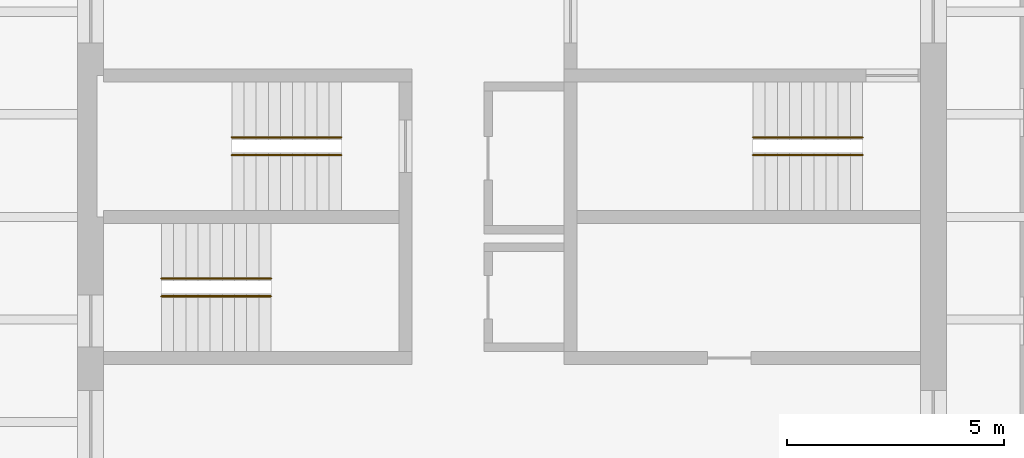
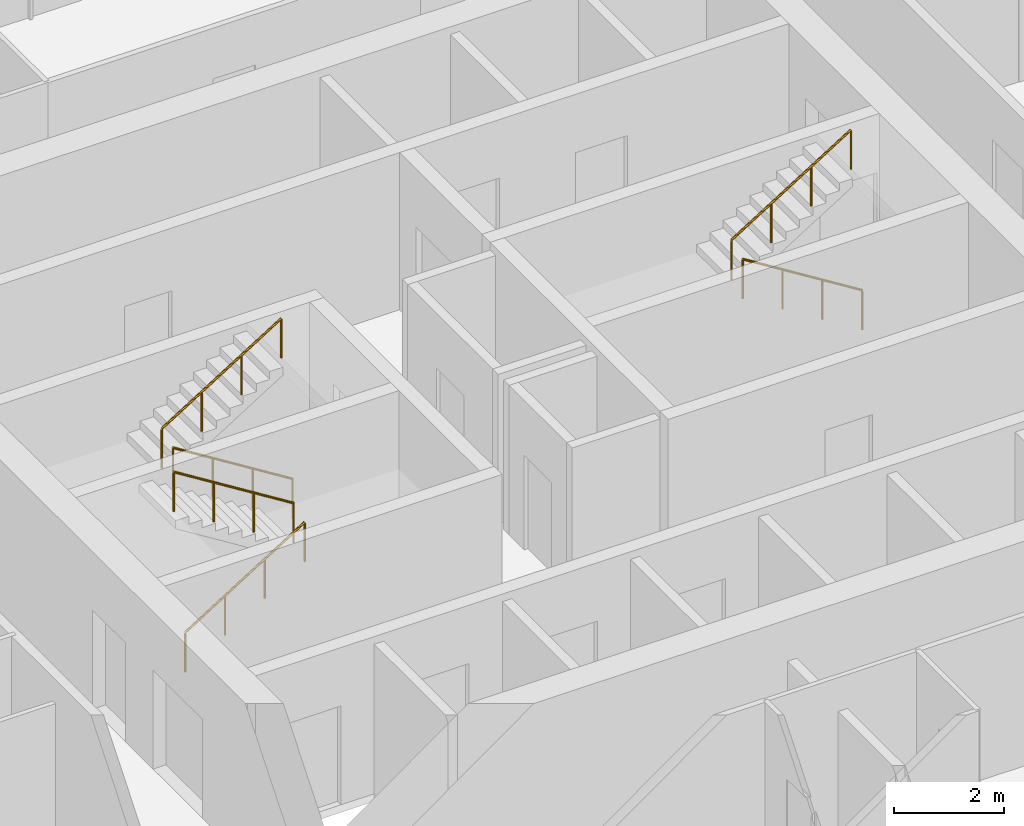
# One storey, part 17 of 17: 6 railings.
"""IFC4 building model written with IfcOpenShell, lengths in metres."""

from ifc_helpers import new_model, si_unit, direction, frame, origin, origin_2d, place, context, subcontext, project, spatial, circle, extrude, material, type_object, element, save


model = new_model("IFC4")

# Units and contexts
model_context = context("Model", 3, precision=1e-05, world=origin(), true_north=direction((0.0, 1.0)))
body_context = subcontext(model_context, "Body", "Model", "MODEL_VIEW")
ifc_project = project(units=[si_unit("LENGTHUNIT", "METRE"), si_unit("AREAUNIT", "SQUARE_METRE"), si_unit("VOLUMEUNIT", "CUBIC_METRE"), si_unit("PLANEANGLEUNIT", "RADIAN"), si_unit("MASSUNIT", "GRAM", prefix="KILO")], contexts=[model_context])

# Site, building, storey
site_placement = place(None, origin())
site = spatial("IfcSite", under=ifc_project, at=site_placement, CompositionType="ELEMENT")
building_placement = place(site_placement, origin())
building = spatial("IfcBuilding", under=site, at=building_placement, Name="Turquesa Mirador Hotel Tower", CompositionType="ELEMENT")
storey_placement = place(building_placement, frame((0.0, 0.0, 244.199951171875)))
storey = spatial("IfcBuildingStorey", under=building, at=storey_placement, Name="L66", CompositionType="ELEMENT", Elevation=244.199951171875)

# Railings
ifc_material = material(Name="Painted steel handrail", Category="steel")
railing_type = type_object("IfcRailingType", Name="HANDRAIL 900 STEEL", PredefinedType="HANDRAIL", material=ifc_material)
railing_1_placement = place(storey_placement, frame((51.070068359375, 46.419921875, 0.175048828125)))
element("IfcRailing", 1, at=railing_1_placement, inside=storey, type_object=railing_type, Name="Handrail ST1", PredefinedType="HANDRAIL", context=body_context, shape_type="SweptSolid", body=[
    extrude(circle(Radius=0.02392578125, at=origin_2d()), frame((0.0, 0.0, 0.8759765625), z_axis=(-0.848007534815, 0.0, 0.529984170421), x_axis=(0.0, -1.0, 0.0)), (0.0, 0.0, 1.0), 2.9716796875),
    extrude(circle(Radius=0.02099609375, at=origin_2d()), origin(), (0.0, 0.0, 1.0), 0.851806640625),
    extrude(circle(Radius=0.02099609375, at=origin_2d()), frame((-0.840087890625, 0.0, 0.52490234375)), (0.0, 0.0, 1.0), 0.851806640625),
    extrude(circle(Radius=0.02099609375, at=origin_2d()), frame((-1.679931640625, 0.0, 1.050048828125)), (0.0, 0.0, 1.0), 0.851806640625),
    extrude(circle(Radius=0.02099609375, at=origin_2d()), frame((-2.52001953125, 0.0, 1.574951171875)), (0.0, 0.0, 1.0), 0.851806640625),
])
for number, where, name in (
    (2, (48.550048828125, 46.830078125, 1.925048828125), "Handrail ST1"),
    (3, (46.929931640625, 43.169921875, 0.175048828125), "Handrail ST2"),
):
    element("IfcRailing", number, at=place(storey_placement, frame(where)), inside=storey, type_object=railing_type, Name=name, PredefinedType="HANDRAIL", context=body_context, shape_type="SweptSolid", body=[
        extrude(circle(Radius=0.02392578125, at=origin_2d()), frame((0.0, 0.0, 0.8759765625), z_axis=(0.848007534815, 0.0, 0.529984170421), x_axis=(0.0, 1.0, 0.0)), (0.0, 0.0, 1.0), 2.9716796875),
        extrude(circle(Radius=0.02099609375, at=origin_2d()), origin(), (0.0, 0.0, 1.0), 0.851806640625),
        extrude(circle(Radius=0.02099609375, at=origin_2d()), frame((0.840087890625, 0.0, 0.52490234375)), (0.0, 0.0, 1.0), 0.851806640625),
        extrude(circle(Radius=0.02099609375, at=origin_2d()), frame((1.679931640625, 0.0, 1.050048828125)), (0.0, 0.0, 1.0), 0.851806640625),
        extrude(circle(Radius=0.02099609375, at=origin_2d()), frame((2.52001953125, 0.0, 1.574951171875)), (0.0, 0.0, 1.0), 0.851806640625),
    ])
for number, where, name in (
    (4, (49.449951171875, 43.580078125, 1.925048828125), "Handrail ST2"),
    (5, (63.070068359375, 46.419921875, 0.175048828125), "Handrail ST3"),
):
    element("IfcRailing", number, at=place(storey_placement, frame(where)), inside=storey, type_object=railing_type, Name=name, PredefinedType="HANDRAIL", context=body_context, shape_type="SweptSolid", body=[
        extrude(circle(Radius=0.02392578125, at=origin_2d()), frame((0.0, 0.0, 0.8759765625), z_axis=(-0.848007534815, 0.0, 0.529984170421), x_axis=(0.0, -1.0, 0.0)), (0.0, 0.0, 1.0), 2.9716796875),
        extrude(circle(Radius=0.02099609375, at=origin_2d()), origin(), (0.0, 0.0, 1.0), 0.851806640625),
        extrude(circle(Radius=0.02099609375, at=origin_2d()), frame((-0.840087890625, 0.0, 0.52490234375)), (0.0, 0.0, 1.0), 0.851806640625),
        extrude(circle(Radius=0.02099609375, at=origin_2d()), frame((-1.679931640625, 0.0, 1.050048828125)), (0.0, 0.0, 1.0), 0.851806640625),
        extrude(circle(Radius=0.02099609375, at=origin_2d()), frame((-2.52001953125, 0.0, 1.574951171875)), (0.0, 0.0, 1.0), 0.851806640625),
    ])
railing_2_placement = place(storey_placement, frame((60.550048828125, 46.830078125, 1.925048828125)))
element("IfcRailing", 6, at=railing_2_placement, inside=storey, type_object=railing_type, Name="Handrail ST3", PredefinedType="HANDRAIL", context=body_context, shape_type="SweptSolid", body=[
    extrude(circle(Radius=0.02392578125, at=origin_2d()), frame((0.0, 0.0, 0.8759765625), z_axis=(0.848007534815, 0.0, 0.529984170421), x_axis=(0.0, 1.0, 0.0)), (0.0, 0.0, 1.0), 2.9716796875),
    extrude(circle(Radius=0.02099609375, at=origin_2d()), origin(), (0.0, 0.0, 1.0), 0.851806640625),
    extrude(circle(Radius=0.02099609375, at=origin_2d()), frame((0.840087890625, 0.0, 0.52490234375)), (0.0, 0.0, 1.0), 0.851806640625),
    extrude(circle(Radius=0.02099609375, at=origin_2d()), frame((1.679931640625, 0.0, 1.050048828125)), (0.0, 0.0, 1.0), 0.851806640625),
    extrude(circle(Radius=0.02099609375, at=origin_2d()), frame((2.52001953125, 0.0, 1.574951171875)), (0.0, 0.0, 1.0), 0.851806640625),
])

save(model, "model.ifc")
